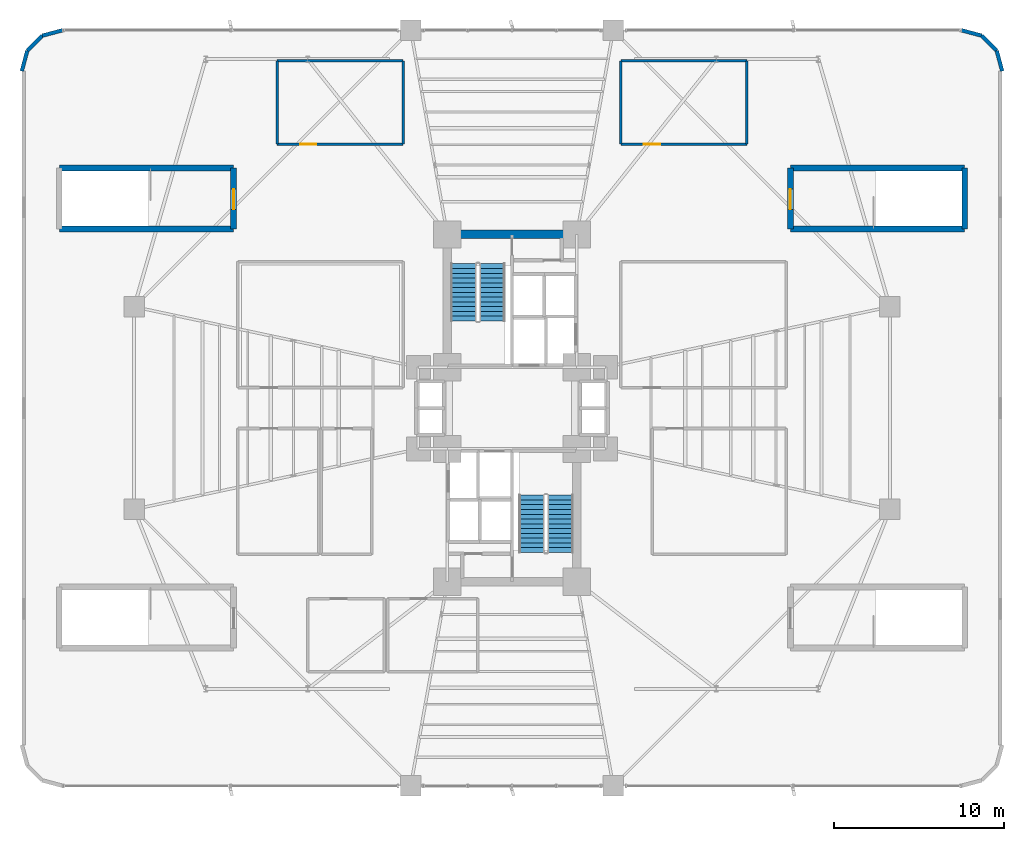
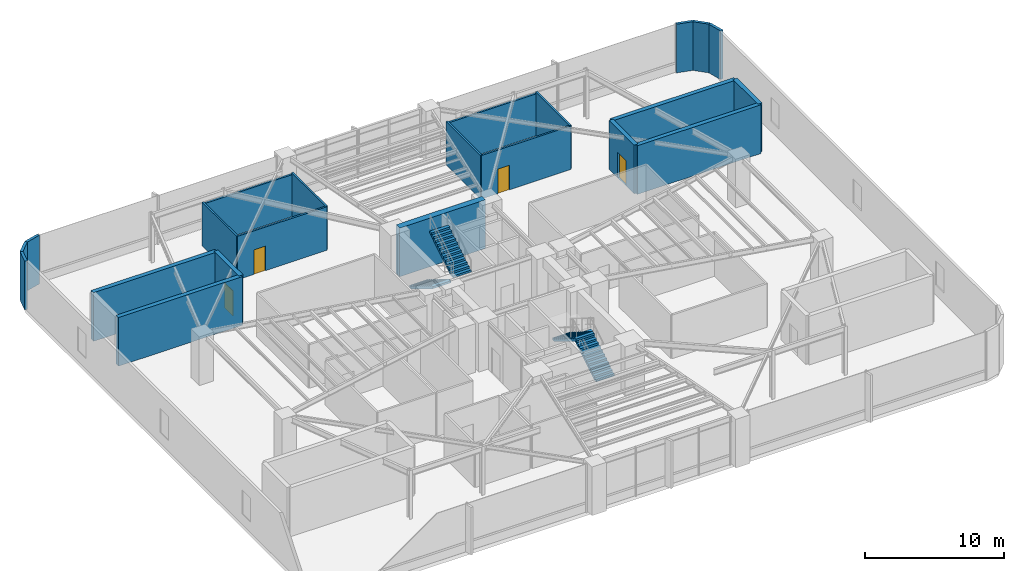
# One storey, part 23 of 26: 22 walls, 4 doors, 4 stair flights, 4 openings, 2 elements without a shape of their own.
"""IFC4 building model written with IfcOpenShell, lengths in metres."""

from ifc_helpers import new_model, si_unit, direction, frame, frame_2d, origin, origin_2d, place, context, subcontext, project, spatial, polyline, rectangle, outline, extrude, source, transform, mapped, material, layer, layer_set, type_object, element, fill, aggregate, save


model = new_model("IFC4")

# Units and contexts
model_context = context("Model", 3, precision=1e-05, world=origin(), true_north=direction((0.0, 1.0)))
body_context = subcontext(model_context, "Body", "Model", "MODEL_VIEW")
ifc_project = project(units=[si_unit("LENGTHUNIT", "METRE"), si_unit("AREAUNIT", "SQUARE_METRE"), si_unit("VOLUMEUNIT", "CUBIC_METRE"), si_unit("PLANEANGLEUNIT", "RADIAN"), si_unit("MASSUNIT", "GRAM", prefix="KILO")], contexts=[model_context])

# Site, building, storey
site_placement = place(None, origin())
site = spatial("IfcSite", under=ifc_project, at=site_placement, CompositionType="ELEMENT")
building_placement = place(site_placement, origin())
building = spatial("IfcBuilding", under=site, at=building_placement, Name="Sahyath Konkavel Grand Hotel", CompositionType="ELEMENT")
storey_placement = place(building_placement, frame((0.0, 0.0, 18.60009765625)))
storey = spatial("IfcBuildingStorey", under=building, at=storey_placement, Name="L04", CompositionType="ELEMENT", Elevation=18.60009765625)

# Walls
ifc_material_1 = material(Name="Concrete C40/50", Category="concrete")
ifc_layer_1 = layer(ifc_material_1, 0.35009765625)
ifc_layer_set_1 = layer_set([ifc_layer_1], Name="Concrete C40/50")
wall_type_1 = type_object("IfcWallType", Name="CWALL-350", PredefinedType="SHEAR", material=ifc_layer_set_1)
for number, where, z_axis, x_axis, name in (
    (1, (-26.60009765625, 14.10009765625, 0.0), (0.0, 0.0, 1.0), (1.0, 0.0, 0.0), "L04 Partition ST-P1-N"),
    (2, (-26.60009765625, 10.52001953125, 0.0), (0.0, 0.0, 1.0), (1.0, 0.0, 0.0), "L04 Partition ST-P1-S"),
):
    element("IfcWall", number, at=place(storey_placement, frame(where, z_axis=z_axis, x_axis=x_axis)), inside=storey, type_object=wall_type_1, Name=name, PredefinedType="SHEAR", context=body_context, shape_type="SweptSolid", body=[
        extrude(rectangle(XDim=10.25, YDim=0.35009765625, at=frame_2d((5.125, 0.0))), origin(), (0.0, 0.0, 1.0), 4.260009765625),
    ])

# Wall, opening, door
wall_1_placement = place(storey_placement, frame((-16.35009765625, 10.52001953125, 0.0), z_axis=(0.0, 0.0, 1.0), x_axis=(0.0, 1.0, 0.0)))
wall_1 = element("IfcWall", 3, at=wall_1_placement, inside=storey, type_object=wall_type_1, Name="L04 Partition ST-P1-E", PredefinedType="SHEAR", context=body_context, shape_type="SweptSolid", body=[
    extrude(rectangle(XDim=3.580078125, YDim=0.35009765625, at=frame_2d((1.7900390625, 0.0))), origin(), (0.0, 0.0, 1.0), 4.260009765625),
])
opening_1_placement = place(wall_1_placement, frame((1.14990234375, 0.0, 0.0)))
opening_1 = element("IfcOpeningElement", 4, at=opening_1_placement, cuts=wall_1, Name="Opening D-F12A", PredefinedType="OPENING", context=body_context, shape_type="SweptSolid", body=[
    extrude(rectangle(XDim=1.199951171875, YDim=2.199951171875, at=frame_2d((0.60009765625, 1.10009765625))), frame((0.0, 0.18505859375, 0.0), z_axis=(0.0, -1.0, 0.0), x_axis=(1.0, 0.0, 0.0)), (0.0, 0.0, 1.0), 0.3701171875),
])
ifc_material_2 = material(Name="Steel E350 Fire Door", Category="steel")
door_type_1 = type_object("IfcDoorType", Name="DR-FD120-1200", OperationType="NOTDEFINED", PredefinedType="DOOR", material=ifc_material_2)
shared_shape_1 = source(origin(), body_context, "Body", "SweptSolid", [
    extrude(rectangle(XDim=1.199951171875, YDim=0.050048828125, at=origin_2d()), origin(), (0.0, 0.0, 1.0), 2.199951171875),
])
door_1_placement = place(opening_1_placement, frame((0.60009765625, 0.0, 0.0)))
door_1 = element("IfcDoor", 5, at=door_1_placement, inside=storey, type_object=door_type_1, Name="L04 ST-P1 Fire Door", OperationType="SINGLE_SWING_RIGHT", OverallHeight=2.199951171875, OverallWidth=1.199951171875, PredefinedType="DOOR", context=body_context, shape_type="MappedRepresentation", body=[
    mapped(shared_shape_1, transform((0.0, 0.0, 0.0), scale=1.0)),
])
fill(opening_1, door_1)

# Walls
for number, where, z_axis, x_axis, name in (
    (6, (16.35009765625, 14.10009765625, 0.0), (0.0, 0.0, 1.0), (1.0, 0.0, 0.0), "L04 Partition ST-P2-N"),
    (7, (16.35009765625, 10.52001953125, 0.0), (0.0, 0.0, 1.0), (1.0, 0.0, 0.0), "L04 Partition ST-P2-S"),
):
    element("IfcWall", number, at=place(storey_placement, frame(where, z_axis=z_axis, x_axis=x_axis)), inside=storey, type_object=wall_type_1, Name=name, PredefinedType="SHEAR", context=body_context, shape_type="SweptSolid", body=[
        extrude(rectangle(XDim=10.25, YDim=0.35009765625, at=frame_2d((5.125, 0.0))), origin(), (0.0, 0.0, 1.0), 4.260009765625),
    ])

# Wall, opening, door
wall_2_placement = place(storey_placement, frame((16.35009765625, 10.52001953125, 0.0), z_axis=(0.0, 0.0, 1.0), x_axis=(0.0, 1.0, 0.0)))
wall_2 = element("IfcWall", 8, at=wall_2_placement, inside=storey, type_object=wall_type_1, Name="L04 Partition ST-P2-W", PredefinedType="SHEAR", context=body_context, shape_type="SweptSolid", body=[
    extrude(rectangle(XDim=3.580078125, YDim=0.35009765625, at=frame_2d((1.7900390625, 0.0))), origin(), (0.0, 0.0, 1.0), 4.260009765625),
])
opening_2_placement = place(wall_2_placement, frame((1.14990234375, 0.0, 0.0)))
opening_2 = element("IfcOpeningElement", 9, at=opening_2_placement, cuts=wall_2, Name="Opening D-F12A", PredefinedType="OPENING", context=body_context, shape_type="SweptSolid", body=[
    extrude(rectangle(XDim=1.199951171875, YDim=2.199951171875, at=frame_2d((0.60009765625, 1.10009765625))), frame((0.0, 0.18505859375, 0.0), z_axis=(0.0, -1.0, 0.0), x_axis=(1.0, 0.0, 0.0)), (0.0, 0.0, 1.0), 0.3701171875),
])
door_2_placement = place(opening_2_placement, frame((0.60009765625, 0.0, 0.0)))
door_2 = element("IfcDoor", 10, at=door_2_placement, inside=storey, type_object=door_type_1, Name="L04 ST-P2 Fire Door", OperationType="SINGLE_SWING_LEFT", OverallHeight=2.199951171875, OverallWidth=1.199951171875, PredefinedType="DOOR", context=body_context, shape_type="MappedRepresentation", body=[
    mapped(shared_shape_1, transform((0.0, 0.0, 0.0), scale=1.0)),
])
fill(opening_2, door_2)

# Walls
wall_3_placement = place(storey_placement, frame((26.60009765625, 10.52001953125, 0.0), z_axis=(0.0, 0.0, 1.0), x_axis=(0.0, 1.0, 0.0)))
element("IfcWall", 11, at=wall_3_placement, inside=storey, type_object=wall_type_1, Name="L04 Partition ST-P2-E", PredefinedType="SHEAR", context=body_context, shape_type="SweptSolid", body=[
    extrude(rectangle(XDim=3.580078125, YDim=0.35009765625, at=frame_2d((1.7900390625, 0.0))), origin(), (0.0, 0.0, 1.0), 4.260009765625),
])
ifc_material_3 = material(Name="Concrete C70/85", Category="concrete")
ifc_layer_2 = layer(ifc_material_3, 0.5)
ifc_layer_set_2 = layer_set([ifc_layer_2], Name="Concrete C70/85")
wall_type_2 = type_object("IfcWallType", Name="CWALL-500", PredefinedType="SHEAR", material=ifc_layer_set_2)
wall_4_placement = place(storey_placement, frame((-3.550048828125, 10.199951171875, 0.0), z_axis=(0.0, 0.0, 1.0), x_axis=(1.0, 0.0, 0.0)))
element("IfcWall", 12, at=wall_4_placement, inside=storey, type_object=wall_type_2, Name="L04 North Core Shear Wall N", PredefinedType="SHEAR", context=body_context, shape_type="SweptSolid", body=[
    extrude(rectangle(XDim=7.10009765625, YDim=0.5, at=frame_2d((3.550048828125, 0.0))), origin(), (0.0, 0.0, 1.0), 4.260009765625),
])
ifc_material_4 = material(Name="Warm Buff Sandstone Insulated Concrete C40/50", Category="masonry")
ifc_layer_3 = layer(ifc_material_4, 0.219970703125)
ifc_layer_set_3 = layer_set([ifc_layer_3], Name="Warm Buff Sandstone Insulated Concrete C40/50")
wall_type_3 = type_object("IfcWallType", Name="WLL-BALC-THRESH", PredefinedType="STANDARD", material=ifc_layer_set_3)
for number, where, z_axis, x_axis, name in (
    (13, (28.800048828125, 19.800048828125, 0.0), (0.0, 0.0, 1.0), (-0.258824494443, 0.965924366126, 0.0), "L04 Rounded Podium Corner Sandstone Pier 4"),
    (14, (28.478515625, 21.0, 0.0), (0.0, 0.0, 1.0), (-0.707106781187, 0.707106781187, 0.0), "L04 Rounded Podium Corner Sandstone Pier 5"),
):
    element("IfcWall", number, at=place(storey_placement, frame(where, z_axis=z_axis, x_axis=x_axis)), inside=storey, type_object=wall_type_3, Name=name, PredefinedType="STANDARD", context=body_context, shape_type="SweptSolid", body=[
        extrude(rectangle(XDim=1.2421875, YDim=0.219970703125, at=frame_2d((0.62109375, 0.0))), origin(), (0.0, 0.0, 1.0), 4.260009765625),
    ])
for number, where, z_axis, x_axis, name in (
    (15, (27.60009765625, 21.87841796875, 0.0), (0.0, 0.0, 1.0), (-0.965937527666, 0.25877537102, 0.0), "L04 Rounded Podium Corner Sandstone Pier 6"),
    (16, (-26.39990234375, 22.199951171875, 0.0), (0.0, 0.0, 1.0), (-0.965937527666, -0.25877537102, 0.0), "L04 Rounded Podium Corner Sandstone Pier 8"),
):
    element("IfcWall", number, at=place(storey_placement, frame(where, z_axis=z_axis, x_axis=x_axis)), inside=storey, type_object=wall_type_3, Name=name, PredefinedType="STANDARD", context=body_context, shape_type="SweptSolid", body=[
        extrude(rectangle(XDim=1.242431640625, YDim=0.219970703125, at=frame_2d((0.62109375, 0.0))), origin(), (0.0, 0.0, 1.0), 4.260009765625),
    ])
for number, where, z_axis, x_axis, name in (
    (17, (-27.60009765625, 21.87841796875, 0.0), (0.0, 0.0, 1.0), (-0.707106781187, -0.707106781187, 0.0), "L04 Rounded Podium Corner Sandstone Pier 9"),
    (18, (-28.478515625, 21.0, 0.0), (0.0, 0.0, 1.0), (-0.258824494443, -0.965924366126, 0.0), "L04 Rounded Podium Corner Sandstone Pier 10"),
):
    element("IfcWall", number, at=place(storey_placement, frame(where, z_axis=z_axis, x_axis=x_axis)), inside=storey, type_object=wall_type_3, Name=name, PredefinedType="STANDARD", context=body_context, shape_type="SweptSolid", body=[
        extrude(rectangle(XDim=1.2421875, YDim=0.219970703125, at=frame_2d((0.62109375, 0.0))), origin(), (0.0, 0.0, 1.0), 4.260009765625),
    ])
ifc_material_5 = material(Name="Fire-Rated Gypsum Plasterboard Partition")
ifc_layer_4 = layer(ifc_material_5, 0.14990234375)
ifc_layer_set_4 = layer_set([ifc_layer_4], Name="Fire-Rated Gypsum Plasterboard Partition")
wall_type_4 = type_object("IfcWallType", Name="WLL-PART-150", PredefinedType="PARTITIONING", material=ifc_layer_set_4)
wall_5_placement = place(storey_placement, frame((-13.800048828125, 20.39990234375, 0.0), z_axis=(0.0, 0.0, 1.0), x_axis=(1.0, 0.0, 0.0)))
element("IfcWall", 19, at=wall_5_placement, inside=storey, type_object=wall_type_4, Name="L04 Partition L04-CHG-N", PredefinedType="PARTITIONING", context=body_context, shape_type="SweptSolid", body=[
    extrude(rectangle(XDim=7.400146484375, YDim=0.14990234375, at=frame_2d((3.7001953125, 0.0))), origin(), (0.0, 0.0, 1.0), 3.669921875),
])

# Wall, opening, door
wall_6_placement = place(storey_placement, frame((-13.800048828125, 15.5, 0.0), z_axis=(0.0, 0.0, 1.0), x_axis=(1.0, 0.0, 0.0)))
wall_6 = element("IfcWall", 20, at=wall_6_placement, inside=storey, type_object=wall_type_4, Name="L04 Partition L04-CHG-S", PredefinedType="PARTITIONING", context=body_context, shape_type="SweptSolid", body=[
    extrude(rectangle(XDim=7.400146484375, YDim=0.14990234375, at=frame_2d((3.7001953125, 0.0))), origin(), (0.0, 0.0, 1.0), 3.809814453125),
])
opening_3_placement = place(wall_6_placement, frame((1.35009765625, 0.0, 0.0)))
opening_3 = element("IfcOpeningElement", 21, at=opening_3_placement, cuts=wall_6, Name="Opening D-F06B", PredefinedType="OPENING", context=body_context, shape_type="SweptSolid", body=[
    extrude(rectangle(XDim=0.949951171875, YDim=2.14990234375, at=frame_2d((0.47509765625, 1.074951171875))), frame((0.0, 0.0849609375, 0.0), z_axis=(0.0, -1.0, 0.0), x_axis=(1.0, 0.0, 0.0)), (0.0, 0.0, 1.0), 0.169921875),
])
ifc_material_6 = material(Name="Teak Veneer Fire-Rated Guest Entrance Door")
door_type_2 = type_object("IfcDoorType", Name="DR-FD60-950", OperationType="NOTDEFINED", PredefinedType="DOOR", material=ifc_material_6)
shared_shape_2 = source(origin(), body_context, "Body", "SweptSolid", [
    extrude(rectangle(XDim=0.949951171875, YDim=0.050048828125, at=origin_2d()), origin(), (0.0, 0.0, 1.0), 2.14990234375),
])
door_3_placement = place(opening_3_placement, frame((0.47509765625, 0.0, 0.0)))
door_3 = element("IfcDoor", 22, at=door_3_placement, inside=storey, type_object=door_type_2, Name="L04 Door L04-CHG-D", OperationType="SINGLE_SWING_LEFT", OverallHeight=2.14990234375, OverallWidth=0.949951171875, PredefinedType="DOOR", context=body_context, shape_type="MappedRepresentation", body=[
    mapped(shared_shape_2, transform((0.0, 0.0, 0.0), scale=1.0)),
])
fill(opening_3, door_3)

# Walls
for number, where, z_axis, x_axis, name in (
    (23, (-13.800048828125, 15.5, 0.0), (0.0, 0.0, 1.0), (0.0, 1.0, 0.0), "L04 Partition L04-CHG-W"),
    (24, (-6.39990234375, 15.5, 0.0), (0.0, 0.0, 1.0), (0.0, 1.0, 0.0), "L04 Partition L04-CHG-E"),
):
    element("IfcWall", number, at=place(storey_placement, frame(where, z_axis=z_axis, x_axis=x_axis)), inside=storey, type_object=wall_type_4, Name=name, PredefinedType="PARTITIONING", context=body_context, shape_type="SweptSolid", body=[
        extrude(rectangle(XDim=4.89990234375, YDim=0.14990234375, at=frame_2d((2.449951171875, 0.0))), origin(), (0.0, 0.0, 1.0), 3.809814453125),
    ])
wall_7_placement = place(storey_placement, frame((6.39990234375, 20.39990234375, 0.0), z_axis=(0.0, 0.0, 1.0), x_axis=(1.0, 0.0, 0.0)))
element("IfcWall", 25, at=wall_7_placement, inside=storey, type_object=wall_type_4, Name="L04 Partition L04-SLNG-N", PredefinedType="PARTITIONING", context=body_context, shape_type="SweptSolid", body=[
    extrude(rectangle(XDim=7.400146484375, YDim=0.14990234375, at=frame_2d((3.7001953125, 0.0))), origin(), (0.0, 0.0, 1.0), 3.669921875),
])

# Wall, opening, door
wall_8_placement = place(storey_placement, frame((6.39990234375, 15.5, 0.0), z_axis=(0.0, 0.0, 1.0), x_axis=(1.0, 0.0, 0.0)))
wall_8 = element("IfcWall", 26, at=wall_8_placement, inside=storey, type_object=wall_type_4, Name="L04 Partition L04-SLNG-S", PredefinedType="PARTITIONING", context=body_context, shape_type="SweptSolid", body=[
    extrude(rectangle(XDim=7.400146484375, YDim=0.14990234375, at=frame_2d((3.7001953125, 0.0))), origin(), (0.0, 0.0, 1.0), 3.809814453125),
])
opening_4_placement = place(wall_8_placement, frame((1.35009765625, 0.0, 0.0)))
opening_4 = element("IfcOpeningElement", 27, at=opening_4_placement, cuts=wall_8, Name="Opening D-F06B", PredefinedType="OPENING", context=body_context, shape_type="SweptSolid", body=[
    extrude(rectangle(XDim=0.949951171875, YDim=2.14990234375, at=frame_2d((0.47509765625, 1.074951171875))), frame((0.0, 0.0849609375, 0.0), z_axis=(0.0, -1.0, 0.0), x_axis=(1.0, 0.0, 0.0)), (0.0, 0.0, 1.0), 0.169921875),
])
door_4_placement = place(opening_4_placement, frame((0.47509765625, 0.0, 0.0)))
door_4 = element("IfcDoor", 28, at=door_4_placement, inside=storey, type_object=door_type_2, Name="L04 Door L04-SLNG-D", OperationType="SINGLE_SWING_RIGHT", OverallHeight=2.14990234375, OverallWidth=0.949951171875, PredefinedType="DOOR", context=body_context, shape_type="MappedRepresentation", body=[
    mapped(shared_shape_2, transform((0.0, 0.0, 0.0), scale=1.0)),
])
fill(opening_4, door_4)

# Walls
for number, where, z_axis, x_axis, name in (
    (29, (6.39990234375, 15.5, 0.0), (0.0, 0.0, 1.0), (0.0, 1.0, 0.0), "L04 Partition L04-SLNG-W"),
    (30, (13.800048828125, 15.5, 0.0), (0.0, 0.0, 1.0), (0.0, 1.0, 0.0), "L04 Partition L04-SLNG-E"),
):
    element("IfcWall", number, at=place(storey_placement, frame(where, z_axis=z_axis, x_axis=x_axis)), inside=storey, type_object=wall_type_4, Name=name, PredefinedType="PARTITIONING", context=body_context, shape_type="SweptSolid", body=[
        extrude(rectangle(XDim=4.89990234375, YDim=0.14990234375, at=frame_2d((2.449951171875, 0.0))), origin(), (0.0, 0.0, 1.0), 3.809814453125),
    ])

# Stair, stair flights
stair_type = type_object("IfcStairType", Name="STR-ST16-450", PredefinedType="HALF_TURN_STAIR", material=ifc_material_1)
stair_1_placement = place(storey_placement, origin())
stair_1 = element("IfcStair", 31, at=stair_1_placement, inside=storey, type_object=stair_type, Name="L04 North Core Smokeproof Exit Stair ST-1", PredefinedType="HALF_TURN_STAIR")
stair_flight_type = type_object("IfcStairFlightType", Name="STF-ST16-450", PredefinedType="STRAIGHT", material=ifc_material_1)
stair_flight_1_placement = place(storey_placement, frame((-2.840087890625, 8.47998046875, 0.0), z_axis=(0.0, 0.0, 1.0), x_axis=(0.0, -1.0, 0.0)))
stair_flight_1 = element("IfcStairFlight", 32, at=stair_flight_1_placement, type_object=stair_flight_type, Name="ST-1 flight 1", NumberOfRisers=13, NumberOfTreads=12, PredefinedType="STRAIGHT", RiserHeight=0.173076923, TreadLength=0.28, context=body_context, shape_type="SweptSolid", body=[
    extrude(outline(polyline([(0.0, 0.0), (0.0, 0.173095703125), (0.280029296875, 0.173095703125), (0.280029296875, 0.34619140625), (0.56005859375, 0.34619140625), (0.56005859375, 0.519287109375), (0.840087890625, 0.519287109375), (0.840087890625, 0.6923828125), (1.1201171875, 0.6923828125), (1.1201171875, 0.865478515625), (1.39990234375, 0.865478515625), (1.39990234375, 1.03857421875), (1.679931640625, 1.03857421875), (1.679931640625, 1.21142578125), (1.9599609375, 1.21142578125), (1.9599609375, 1.384521484375), (2.239990234375, 1.384521484375), (2.239990234375, 1.5576171875), (2.52001953125, 1.5576171875), (2.52001953125, 1.730712890625), (2.800048828125, 1.730712890625), (2.800048828125, 1.90380859375), (3.080078125, 1.90380859375), (3.080078125, 2.076904296875), (3.360107421875, 2.076904296875), (3.360107421875, 2.25), (3.360107421875, 1.900634765625), (0.28515625, 0.0), (0.0, 0.0)])), frame((0.0, 0.760009765625, 0.0), z_axis=(0.0, -1.0, 0.0), x_axis=(1.0, 0.0, 0.0)), (0.0, 0.0, 1.0), 1.52001953125),
])
stair_flight_2_placement = place(storey_placement, frame((-1.159912109375, 5.1201171875, 2.25), z_axis=(0.0, 0.0, 1.0), x_axis=(0.0, 1.0, 0.0)))
stair_flight_2 = element("IfcStairFlight", 33, at=stair_flight_2_placement, type_object=stair_flight_type, Name="ST-1 flight 2", NumberOfRisers=13, NumberOfTreads=12, PredefinedType="STRAIGHT", RiserHeight=0.173076923, TreadLength=0.28, context=body_context, shape_type="SweptSolid", body=[
    extrude(outline(polyline([(0.0, 0.0), (0.0, 0.173095703125), (0.280029296875, 0.173095703125), (0.280029296875, 0.34619140625), (0.56005859375, 0.34619140625), (0.56005859375, 0.519287109375), (0.840087890625, 0.519287109375), (0.840087890625, 0.6923828125), (1.1201171875, 0.6923828125), (1.1201171875, 0.865478515625), (1.39990234375, 0.865478515625), (1.39990234375, 1.03857421875), (1.679931640625, 1.03857421875), (1.679931640625, 1.21142578125), (1.9599609375, 1.21142578125), (1.9599609375, 1.384521484375), (2.239990234375, 1.384521484375), (2.239990234375, 1.5576171875), (2.52001953125, 1.5576171875), (2.52001953125, 1.730712890625), (2.800048828125, 1.730712890625), (2.800048828125, 1.90380859375), (3.080078125, 1.90380859375), (3.080078125, 2.076904296875), (3.360107421875, 2.076904296875), (3.360107421875, 2.25), (3.360107421875, 1.900634765625), (0.28515625, 0.0), (0.0, 0.0)])), frame((0.0, 0.760009765625, 0.0), z_axis=(0.0, -1.0, 0.0), x_axis=(1.0, 0.0, 0.0)), (0.0, 0.0, 1.0), 1.52001953125),
])
aggregate(stair_1, [stair_flight_1, stair_flight_2])

stair_2_placement = place(storey_placement, origin())
stair_2 = element("IfcStair", 34, at=stair_2_placement, inside=storey, type_object=stair_type, Name="L04 South Core Smokeproof Exit Stair ST-2", PredefinedType="HALF_TURN_STAIR")
stair_flight_3_placement = place(storey_placement, frame((2.840087890625, -8.47998046875, 0.0), z_axis=(0.0, 0.0, 1.0), x_axis=(0.0, 1.0, 0.0)))
stair_flight_3 = element("IfcStairFlight", 35, at=stair_flight_3_placement, type_object=stair_flight_type, Name="ST-2 flight 1", NumberOfRisers=13, NumberOfTreads=12, PredefinedType="STRAIGHT", RiserHeight=0.173076923, TreadLength=0.28, context=body_context, shape_type="SweptSolid", body=[
    extrude(outline(polyline([(0.0, 0.0), (0.0, 0.173095703125), (0.280029296875, 0.173095703125), (0.280029296875, 0.34619140625), (0.56005859375, 0.34619140625), (0.56005859375, 0.519287109375), (0.840087890625, 0.519287109375), (0.840087890625, 0.6923828125), (1.1201171875, 0.6923828125), (1.1201171875, 0.865478515625), (1.39990234375, 0.865478515625), (1.39990234375, 1.03857421875), (1.679931640625, 1.03857421875), (1.679931640625, 1.21142578125), (1.9599609375, 1.21142578125), (1.9599609375, 1.384521484375), (2.239990234375, 1.384521484375), (2.239990234375, 1.5576171875), (2.52001953125, 1.5576171875), (2.52001953125, 1.730712890625), (2.800048828125, 1.730712890625), (2.800048828125, 1.90380859375), (3.080078125, 1.90380859375), (3.080078125, 2.076904296875), (3.360107421875, 2.076904296875), (3.360107421875, 2.25), (3.360107421875, 1.900634765625), (0.28515625, 0.0), (0.0, 0.0)])), frame((0.0, 0.760009765625, 0.0), z_axis=(0.0, -1.0, 0.0), x_axis=(1.0, 0.0, 0.0)), (0.0, 0.0, 1.0), 1.52001953125),
])
stair_flight_4_placement = place(storey_placement, frame((1.159912109375, -5.1201171875, 2.25), z_axis=(0.0, 0.0, 1.0), x_axis=(0.0, -1.0, 0.0)))
stair_flight_4 = element("IfcStairFlight", 36, at=stair_flight_4_placement, type_object=stair_flight_type, Name="ST-2 flight 2", NumberOfRisers=13, NumberOfTreads=12, PredefinedType="STRAIGHT", RiserHeight=0.173076923, TreadLength=0.28, context=body_context, shape_type="SweptSolid", body=[
    extrude(outline(polyline([(0.0, 0.0), (0.0, 0.173095703125), (0.280029296875, 0.173095703125), (0.280029296875, 0.34619140625), (0.56005859375, 0.34619140625), (0.56005859375, 0.519287109375), (0.840087890625, 0.519287109375), (0.840087890625, 0.6923828125), (1.1201171875, 0.6923828125), (1.1201171875, 0.865478515625), (1.39990234375, 0.865478515625), (1.39990234375, 1.03857421875), (1.679931640625, 1.03857421875), (1.679931640625, 1.21142578125), (1.9599609375, 1.21142578125), (1.9599609375, 1.384521484375), (2.239990234375, 1.384521484375), (2.239990234375, 1.5576171875), (2.52001953125, 1.5576171875), (2.52001953125, 1.730712890625), (2.800048828125, 1.730712890625), (2.800048828125, 1.90380859375), (3.080078125, 1.90380859375), (3.080078125, 2.076904296875), (3.360107421875, 2.076904296875), (3.360107421875, 2.25), (3.360107421875, 1.900634765625), (0.28515625, 0.0), (0.0, 0.0)])), frame((0.0, 0.760009765625, 0.0), z_axis=(0.0, -1.0, 0.0), x_axis=(1.0, 0.0, 0.0)), (0.0, 0.0, 1.0), 1.52001953125),
])
aggregate(stair_2, [stair_flight_3, stair_flight_4])

save(model, "model.ifc")
